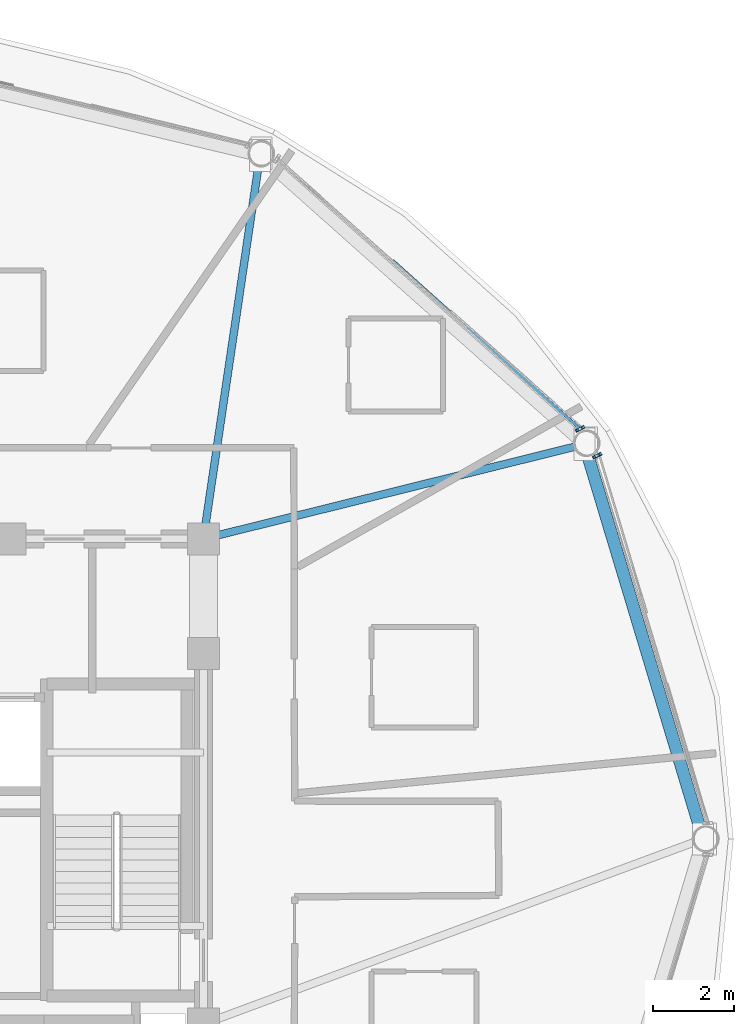
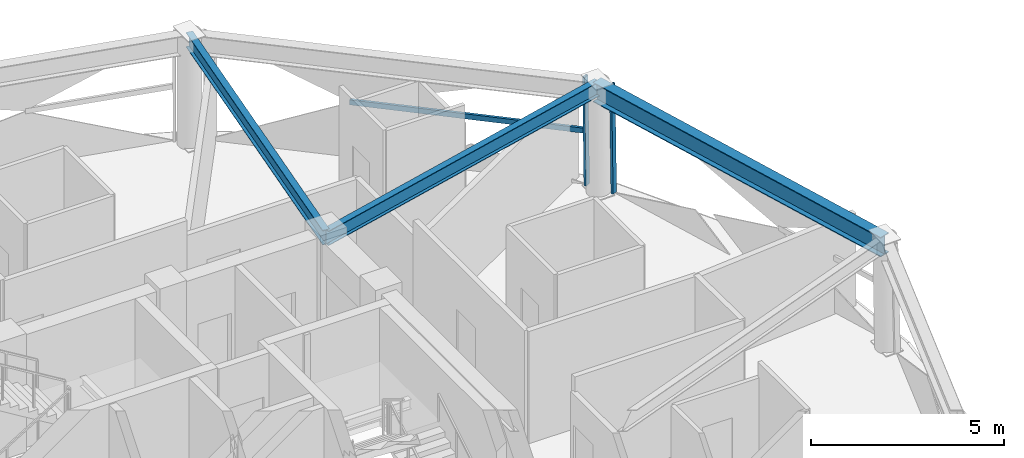
# One storey, part 6 of 18: 3 beams, 3 members, 2 elements without a shape of their own.
"""IFC4 building model written with IfcOpenShell, lengths in metres."""

from ifc_helpers import new_model, si_unit, direction, frame, origin, origin_2d, place, context, subcontext, project, spatial, hollow_rectangle, i_section, extrude, material, layer, layer_set, material_profile, profile_set, type_object, element, aggregate, save


model = new_model("IFC4")

# Units and contexts
model_context = context("Model", 3, precision=1e-05, world=origin(), true_north=direction((0.0, 1.0)))
body_context = subcontext(model_context, "Body", "Model", "MODEL_VIEW")
ifc_project = project(units=[si_unit("LENGTHUNIT", "METRE"), si_unit("AREAUNIT", "SQUARE_METRE"), si_unit("VOLUMEUNIT", "CUBIC_METRE"), si_unit("PLANEANGLEUNIT", "RADIAN"), si_unit("MASSUNIT", "GRAM", prefix="KILO")], contexts=[model_context])

# Site, building, storey
site_placement = place(None, origin())
site = spatial("IfcSite", under=ifc_project, at=site_placement, CompositionType="ELEMENT")
building_placement = place(site_placement, origin())
building = spatial("IfcBuilding", under=site, at=building_placement, Name="Vantalir Tower", CompositionType="ELEMENT")
storey_placement = place(building_placement, frame((0.0, 0.0, 216.14990234375)))
storey = spatial("IfcBuildingStorey", under=building, at=storey_placement, Name="L54", CompositionType="ELEMENT", Elevation=216.14990234375)

# Beams
ifc_material_1 = material(Name="Steel S355", Category="steel")
ifc_material_profile_1 = material_profile(ifc_material_1, i_section(OverallWidth=0.19189453125, OverallDepth=0.462890625, WebThickness=0.010498046875, FlangeThickness=0.017578125, at=origin_2d()), Name="Steel S355")
ifc_profile_set_1 = profile_set([ifc_material_profile_1], Name="Steel S355")
beam_type_1 = type_object("IfcBeamType", Name="BM-RB-457x191", PredefinedType="BEAM", material=ifc_profile_set_1)
beam_1_placement = place(storey_placement, frame((50.56396484375, 34.798095703125, 3.338134765625), z_axis=(-0.970571038556, -0.240814989393, 0.0), x_axis=(0.240814989393, -0.970571038556, 0.0)))
element("IfcBeam", 1, at=beam_1_placement, inside=storey, type_object=beam_type_1, Name="L54 Radial Floor Beam 02", PredefinedType="BEAM", context=body_context, shape_type="SweptSolid", body=[
    extrude(i_section(OverallWidth=0.19189453125, OverallDepth=0.462890625, WebThickness=0.010498046875, FlangeThickness=0.017578125, at=origin_2d()), origin(), (0.0, 0.0, 1.0), 9.750732421875),
])
beam_2_placement = place(storey_placement, frame((42.506103515625, 41.970947265625, 3.338134765625), z_axis=(-0.146089890003, -0.989271319729, 0.0), x_axis=(0.989271319729, -0.146089890003, 0.0)))
element("IfcBeam", 2, at=beam_2_placement, inside=storey, type_object=beam_type_1, Name="L54 Radial Floor Beam 03", PredefinedType="BEAM", context=body_context, shape_type="SweptSolid", body=[
    extrude(i_section(OverallWidth=0.19189453125, OverallDepth=0.462890625, WebThickness=0.010498046875, FlangeThickness=0.017578125, at=origin_2d()), origin(), (0.0, 0.0, 1.0), 9.624267578125),
])
ifc_material_2 = material(Name="Steel S460", Category="steel")
ifc_material_profile_2 = material_profile(ifc_material_2, i_section(OverallWidth=0.306884765625, OverallDepth=0.6201171875, WebThickness=0.01416015625, FlangeThickness=0.023681640625, at=origin_2d()), Name="Steel S460")
ifc_profile_set_2 = profile_set([ifc_material_profile_2], Name="Steel S460")
beam_type_2 = type_object("IfcBeamType", Name="BM-RG-610x305", PredefinedType="USERDEFINED", material=ifc_profile_set_2)
beam_3_placement = place(storey_placement, frame((53.512939453125, 25.0, 3.260009765625), z_axis=(-0.288203662464, 0.957569135333, 0.0), x_axis=(-0.957569135333, -0.288203662464, 0.0)))
element("IfcBeam", 3, at=beam_3_placement, inside=storey, type_object=beam_type_2, Name="L54 Circumferential Ring Girder 01", ObjectType="GIRDER", PredefinedType="USERDEFINED", context=body_context, shape_type="SweptSolid", body=[
    extrude(i_section(OverallWidth=0.306884765625, OverallDepth=0.6201171875, WebThickness=0.01416015625, FlangeThickness=0.023681640625, at=origin_2d()), origin(), (0.0, 0.0, 1.0), 10.232177734375),
])

# Curtain wall, member
ifc_material_3 = material(Name="Champagne-silver PVDF aluminium and double-silver Low-E glass", Category="aluminium")
ifc_layer = layer(ifc_material_3, 0.2099609375)
ifc_layer_set = layer_set([ifc_layer], Name="Champagne-silver PVDF aluminium and double-silver Low-E glass")
curtain_wall_type = type_object("IfcCurtainWallType", Name="CW-DIAMOND-Z3", PredefinedType="USERDEFINED", material=ifc_layer_set)
curtain_wall_1_placement = place(storey_placement, origin())
curtain_wall_1 = element("IfcCurtainWall", 4, at=curtain_wall_1_placement, inside=storey, type_object=curtain_wall_type, Name="L54 Quilted Pyramid-Diamond Curtain Wall S01", ObjectType="UNITISED CURTAIN WALL", PredefinedType="USERDEFINED")
ifc_material_4 = material(Name="Champagne-silver PVDF aluminium 6063-T6", Category="aluminium")
ifc_material_profile_3 = material_profile(ifc_material_4, hollow_rectangle(XDim=0.070068359375, YDim=0.1650390625, WallThickness=0.00390625, at=origin_2d()), Name="Champagne-silver PVDF aluminium 6063-T6")
ifc_profile_set_3 = profile_set([ifc_material_profile_3], Name="Champagne-silver PVDF aluminium 6063-T6")
member_type_1 = type_object("IfcMemberType", Name="CWM-165x70", PredefinedType="MULLION", material=ifc_profile_set_3)
member_1_placement = place(storey_placement, frame((50.909912109375, 34.531982421875, 0.045166015625), z_axis=(-0.018376925349, -0.009188462674, 0.999788908104), x_axis=(0.4472135955, -0.894427191, 0.0)))
member_1 = element("IfcMember", 5, at=member_1_placement, type_object=member_type_1, Name="CW-L54-S01 Mullion 2", PredefinedType="MULLION", context=body_context, shape_type="SweptSolid", body=[
    extrude(hollow_rectangle(XDim=0.070068359375, YDim=0.1650390625, WallThickness=0.00390625, at=origin_2d()), origin(), (0.0, 0.0, 1.0), 3.480712890625),
])
aggregate(curtain_wall_1, [member_1])

# Curtain wall, members
curtain_wall_2_placement = place(storey_placement, origin())
curtain_wall_2 = element("IfcCurtainWall", 6, at=curtain_wall_2_placement, inside=storey, type_object=curtain_wall_type, Name="L54 Quilted Pyramid-Diamond Curtain Wall S02", ObjectType="UNITISED CURTAIN WALL", PredefinedType="USERDEFINED")
member_2_placement = place(storey_placement, frame((50.486083984375, 35.197998046875, 0.045166015625), z_axis=(-0.018376925349, -0.009188462674, 0.999788908104), x_axis=(0.4472135955, -0.894427191, 0.0)))
member_2 = element("IfcMember", 7, at=member_2_placement, type_object=member_type_1, Name="CW-L54-S02 Mullion 1", PredefinedType="MULLION", context=body_context, shape_type="SweptSolid", body=[
    extrude(hollow_rectangle(XDim=0.070068359375, YDim=0.1650390625, WallThickness=0.00390625, at=origin_2d()), origin(), (0.0, 0.0, 1.0), 3.480712890625),
])
ifc_material_profile_4 = material_profile(ifc_material_4, hollow_rectangle(XDim=0.074951171875, YDim=0.159912109375, WallThickness=0.00390625, at=origin_2d()), Name="Champagne-silver PVDF aluminium 6063-T6")
ifc_profile_set_4 = profile_set([ifc_material_profile_4], Name="Champagne-silver PVDF aluminium 6063-T6")
member_type_2 = type_object("IfcMemberType", Name="CWT-160x75", PredefinedType="USERDEFINED", material=ifc_profile_set_4)
member_3_placement = place(storey_placement, frame((50.4541015625, 35.181884765625, 1.78515625), z_axis=(-0.744018195923, 0.668159355345, 0.0), x_axis=(-0.668159355345, -0.744018195923, 0.0)))
member_3 = element("IfcMember", 8, at=member_3_placement, type_object=member_type_2, Name="CW-L54-S02 Pyramid Fold Ridge Transom", ObjectType="TRANSOM", PredefinedType="USERDEFINED", context=body_context, shape_type="SweptSolid", body=[
    extrude(hollow_rectangle(XDim=0.074951171875, YDim=0.159912109375, WallThickness=0.00390625, at=origin_2d()), origin(), (0.0, 0.0, 1.0), 6.25),
])
aggregate(curtain_wall_2, [member_2, member_3])

save(model, "model.ifc")
